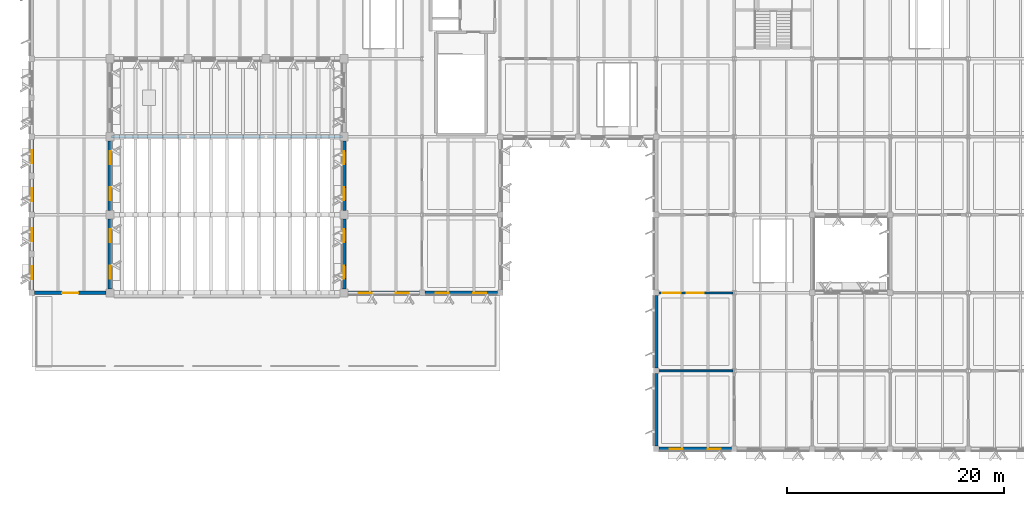
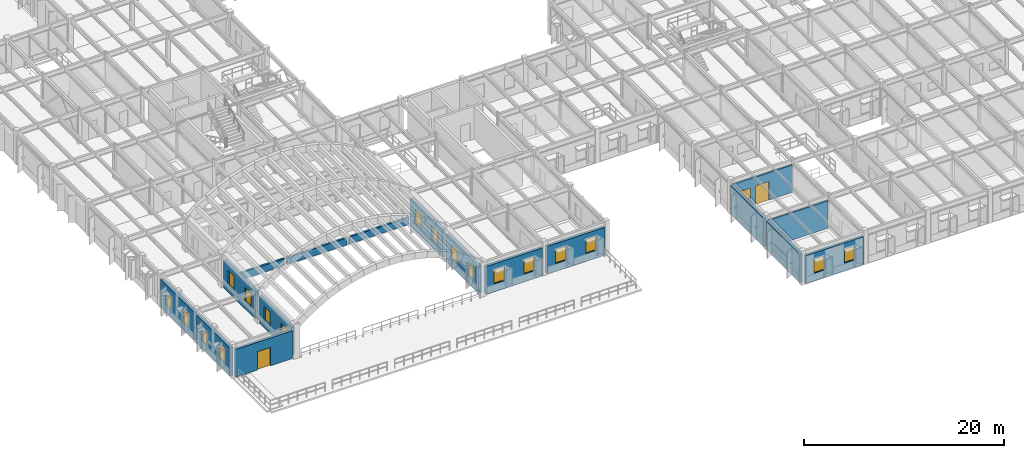
# One storey, part 31 of 85: 19 windows, 17 walls, 2 doors, 21 openings.
"""IFC4 building model written with IfcOpenShell, lengths in metres."""

from ifc_helpers import new_model, si_unit, direction, frame, frame_2d, origin, place, context, subcontext, project, spatial, rectangle, extrude, material, layer, layer_set, type_object, element, fill, save


model = new_model("IFC4")

# Units and contexts
model_context = context("Model", 3, precision=1e-05, world=origin(), true_north=direction((0.0, 1.0)))
body_context = subcontext(model_context, "Body", "Model", "MODEL_VIEW")
ifc_project = project(units=[si_unit("LENGTHUNIT", "METRE"), si_unit("AREAUNIT", "SQUARE_METRE"), si_unit("VOLUMEUNIT", "CUBIC_METRE"), si_unit("PLANEANGLEUNIT", "RADIAN"), si_unit("MASSUNIT", "GRAM", prefix="KILO")], contexts=[model_context])

# Site, building, storey
site_placement = place(None, origin())
site = spatial("IfcSite", under=ifc_project, at=site_placement, CompositionType="ELEMENT")
building_placement = place(site_placement, origin())
building = spatial("IfcBuilding", under=site, at=building_placement, Name="Sillqori Civic Hall", CompositionType="ELEMENT")
storey_placement = place(building_placement, frame((0.0, 0.0, 9.89990234375)))
storey = spatial("IfcBuildingStorey", under=building, at=storey_placement, Name="L03", CompositionType="ELEMENT", Elevation=9.89990234375)

# Wall, opening, door
ifc_material_1 = material(Name="Precast concrete C40/50 (H40)", Category="concrete")
ifc_layer_1 = layer(ifc_material_1, 0.340087890625)
ifc_layer_set_1 = layer_set([ifc_layer_1], Name="Precast concrete C40/50 (H40)")
wall_type_1 = type_object("IfcWallType", Name="EW-ARC-340", PredefinedType="SOLIDWALL", material=ifc_layer_set_1)
wall_1_placement = place(storey_placement, frame((14.02490234375, 21.60009765625, 0.0), z_axis=(0.0, 0.0, 1.0), x_axis=(-1.0, 0.0, 0.0)))
wall_1 = element("IfcWall", 1, at=wall_1_placement, inside=storey, type_object=wall_type_1, Name="L03 V1 exterior wall L03-01-03-S", PredefinedType="SOLIDWALL", context=body_context, shape_type="SweptSolid", body=[
    extrude(rectangle(XDim=6.574951171875, YDim=0.340087890625, at=frame_2d((3.28759765625, 0.0))), origin(), (0.0, 0.0, 1.0), 3.398193359375),
])
opening_1_placement = place(wall_1_placement, frame((2.53759765625, 0.0, 0.0)))
opening_1 = element("IfcOpeningElement", 2, at=opening_1_placement, cuts=wall_1, Name="Opening ED-06", PredefinedType="OPENING", context=body_context, shape_type="SweptSolid", body=[
    extrude(rectangle(XDim=1.5, YDim=2.25, at=frame_2d((0.75, 1.125))), frame((0.0, 0.179931640625, 0.0), z_axis=(0.0, -1.0, 0.0), x_axis=(1.0, 0.0, 0.0)), (0.0, 0.0, 1.0), 0.360107421875),
])
ifc_material_2 = material(Name="Thermally Broken Anodized Aluminium and Laminated Glass", Category="aluminium")
door_type_1 = type_object("IfcDoorType", Name="EDR-TERR-150X225", OperationType="NOTDEFINED", PredefinedType="DOOR", material=ifc_material_2)
door_1_placement = place(opening_1_placement, origin())
door_1 = element("IfcDoor", 3, at=door_1_placement, inside=storey, type_object=door_type_1, Name="South Chamber Step Terrace 2 Access Door", OperationType="DOUBLE_DOOR_SINGLE_SWING", OverallHeight=2.25, OverallWidth=1.5, PredefinedType="DOOR", context=body_context, shape_type="SweptSolid", body=[
    extrude(rectangle(XDim=1.5, YDim=2.25, at=frame_2d((0.75, 1.125))), frame((0.0, 0.02490234375, 0.0), z_axis=(0.0, -1.0, 0.0), x_axis=(1.0, 0.0, 0.0)), (0.0, 0.0, 1.0), 0.050048828125),
])
fill(opening_1, door_1)

# Wall, openings, windows
wall_2_placement = place(storey_placement, frame((7.199951171875, 21.85009765625, 0.0), z_axis=(0.0, 0.0, 1.0), x_axis=(0.0, 1.0, 0.0)))
wall_2 = element("IfcWall", 4, at=wall_2_placement, inside=storey, type_object=wall_type_1, Name="L03 V1 exterior wall L03-01-03-W", PredefinedType="SOLIDWALL", context=body_context, shape_type="SweptSolid", body=[
    extrude(rectangle(XDim=6.699951171875, YDim=0.340087890625, at=frame_2d((3.35009765625, 0.0))), origin(), (0.0, 0.0, 1.0), 3.467041015625),
])
opening_2_placement = place(wall_2_placement, frame((1.008056640625, 0.0, 0.949951171875)))
opening_2 = element("IfcOpeningElement", 5, at=opening_2_placement, cuts=wall_2, Name="Opening W-22", PredefinedType="OPENING", context=body_context, shape_type="SweptSolid", body=[
    extrude(rectangle(XDim=1.199951171875, YDim=1.699951171875, at=frame_2d((0.60009765625, 0.85009765625))), frame((0.0, 0.179931640625, 0.0), z_axis=(0.0, -1.0, 0.0), x_axis=(1.0, 0.0, 0.0)), (0.0, 0.0, 1.0), 0.360107421875),
])
opening_3_placement = place(wall_2_placement, frame((4.491943359375, 0.0, 0.949951171875)))
opening_3 = element("IfcOpeningElement", 6, at=opening_3_placement, cuts=wall_2, Name="Opening W-22", PredefinedType="OPENING", context=body_context, shape_type="SweptSolid", body=[
    extrude(rectangle(XDim=1.199951171875, YDim=1.699951171875, at=frame_2d((0.60009765625, 0.85009765625))), frame((0.0, 0.179931640625, 0.0), z_axis=(0.0, -1.0, 0.0), x_axis=(1.0, 0.0, 0.0)), (0.0, 0.0, 1.0), 0.360107421875),
])
ifc_material_3 = material(Name="Thermally Broken Aluminium Low-E Window", Category="aluminium")
window_type_1 = type_object("IfcWindowType", Name="WIN-V5-120X170", PartitioningType="SINGLE_PANEL", PredefinedType="WINDOW", material=ifc_material_3)
window_1_placement = place(opening_2_placement, origin())
window_1 = element("IfcWindow", 7, at=window_1_placement, inside=storey, type_object=window_type_1, Name="L03 V1 window L03-01-03-W.1", OverallHeight=1.699951171875, OverallWidth=1.199951171875, PartitioningType="SINGLE_PANEL", PredefinedType="WINDOW", context=body_context, shape_type="SweptSolid", body=[
    extrude(rectangle(XDim=1.199951171875, YDim=1.699951171875, at=frame_2d((0.60009765625, 0.85009765625))), frame((0.0, 0.030029296875, 0.0), z_axis=(0.0, -1.0, 0.0), x_axis=(1.0, 0.0, 0.0)), (0.0, 0.0, 1.0), 0.06005859375),
])
fill(opening_2, window_1)
window_2_placement = place(opening_3_placement, origin())
window_2 = element("IfcWindow", 8, at=window_2_placement, inside=storey, type_object=window_type_1, Name="L03 V1 window L03-01-03-W.2", OverallHeight=1.699951171875, OverallWidth=1.199951171875, PartitioningType="SINGLE_PANEL", PredefinedType="WINDOW", context=body_context, shape_type="SweptSolid", body=[
    extrude(rectangle(XDim=1.199951171875, YDim=1.699951171875, at=frame_2d((0.60009765625, 0.85009765625))), frame((0.0, 0.030029296875, 0.0), z_axis=(0.0, -1.0, 0.0), x_axis=(1.0, 0.0, 0.0)), (0.0, 0.0, 1.0), 0.06005859375),
])
fill(opening_3, window_2)

wall_3_placement = place(storey_placement, frame((14.39990234375, 28.425048828125, 0.0), z_axis=(0.0, 0.0, 1.0), x_axis=(0.0, -1.0, 0.0)))
wall_3 = element("IfcWall", 9, at=wall_3_placement, inside=storey, type_object=wall_type_1, Name="L03 V1 exterior wall L03-01-03-E", PredefinedType="SOLIDWALL", context=body_context, shape_type="SweptSolid", body=[
    extrude(rectangle(XDim=6.449951171875, YDim=0.340087890625, at=frame_2d((3.22509765625, 0.0))), origin(), (0.0, 0.0, 1.0), 3.35009765625),
])
opening_4_placement = place(wall_3_placement, frame((0.947998046875, 0.0, 0.949951171875)))
opening_4 = element("IfcOpeningElement", 10, at=opening_4_placement, cuts=wall_3, Name="Opening W-22", PredefinedType="OPENING", context=body_context, shape_type="SweptSolid", body=[
    extrude(rectangle(XDim=1.199951171875, YDim=1.699951171875, at=frame_2d((0.60009765625, 0.85009765625))), frame((0.0, 0.179931640625, 0.0), z_axis=(0.0, -1.0, 0.0), x_axis=(1.0, 0.0, 0.0)), (0.0, 0.0, 1.0), 0.360107421875),
])
opening_5_placement = place(wall_3_placement, frame((4.302001953125, 0.0, 0.949951171875)))
opening_5 = element("IfcOpeningElement", 11, at=opening_5_placement, cuts=wall_3, Name="Opening W-22", PredefinedType="OPENING", context=body_context, shape_type="SweptSolid", body=[
    extrude(rectangle(XDim=1.199951171875, YDim=1.699951171875, at=frame_2d((0.60009765625, 0.85009765625))), frame((0.0, 0.179931640625, 0.0), z_axis=(0.0, -1.0, 0.0), x_axis=(1.0, 0.0, 0.0)), (0.0, 0.0, 1.0), 0.360107421875),
])
window_3_placement = place(opening_4_placement, origin())
window_3 = element("IfcWindow", 12, at=window_3_placement, inside=storey, type_object=window_type_1, Name="L03 V1 window L03-01-03-E.1", OverallHeight=1.699951171875, OverallWidth=1.199951171875, PartitioningType="SINGLE_PANEL", PredefinedType="WINDOW", context=body_context, shape_type="SweptSolid", body=[
    extrude(rectangle(XDim=1.199951171875, YDim=1.699951171875, at=frame_2d((0.60009765625, 0.85009765625))), frame((0.0, 0.030029296875, 0.0), z_axis=(0.0, -1.0, 0.0), x_axis=(1.0, 0.0, 0.0)), (0.0, 0.0, 1.0), 0.06005859375),
])
fill(opening_4, window_3)
window_4_placement = place(opening_5_placement, origin())
window_4 = element("IfcWindow", 13, at=window_4_placement, inside=storey, type_object=window_type_1, Name="L03 V1 window L03-01-03-E.2", OverallHeight=1.699951171875, OverallWidth=1.199951171875, PartitioningType="SINGLE_PANEL", PredefinedType="WINDOW", context=body_context, shape_type="SweptSolid", body=[
    extrude(rectangle(XDim=1.199951171875, YDim=1.699951171875, at=frame_2d((0.60009765625, 0.85009765625))), frame((0.0, 0.030029296875, 0.0), z_axis=(0.0, -1.0, 0.0), x_axis=(1.0, 0.0, 0.0)), (0.0, 0.0, 1.0), 0.06005859375),
])
fill(opening_5, window_4)

wall_4_placement = place(storey_placement, frame((7.199951171875, 29.050048828125, 0.0), z_axis=(0.0, 0.0, 1.0), x_axis=(0.0, 1.0, 0.0)))
wall_4 = element("IfcWall", 14, at=wall_4_placement, inside=storey, type_object=wall_type_1, Name="L03 V1 exterior wall L03-01-04-W", PredefinedType="SOLIDWALL", context=body_context, shape_type="SweptSolid", body=[
    extrude(rectangle(XDim=6.699951171875, YDim=0.340087890625, at=frame_2d((3.35009765625, 0.0))), origin(), (0.0, 0.0, 1.0), 3.467041015625),
])
opening_6_placement = place(wall_4_placement, frame((1.008056640625, 0.0, 0.949951171875)))
opening_6 = element("IfcOpeningElement", 15, at=opening_6_placement, cuts=wall_4, Name="Opening W-22", PredefinedType="OPENING", context=body_context, shape_type="SweptSolid", body=[
    extrude(rectangle(XDim=1.199951171875, YDim=1.699951171875, at=frame_2d((0.60009765625, 0.85009765625))), frame((0.0, 0.179931640625, 0.0), z_axis=(0.0, -1.0, 0.0), x_axis=(1.0, 0.0, 0.0)), (0.0, 0.0, 1.0), 0.360107421875),
])
opening_7_placement = place(wall_4_placement, frame((4.491943359375, 0.0, 0.949951171875)))
opening_7 = element("IfcOpeningElement", 16, at=opening_7_placement, cuts=wall_4, Name="Opening W-22", PredefinedType="OPENING", context=body_context, shape_type="SweptSolid", body=[
    extrude(rectangle(XDim=1.199951171875, YDim=1.699951171875, at=frame_2d((0.60009765625, 0.85009765625))), frame((0.0, 0.179931640625, 0.0), z_axis=(0.0, -1.0, 0.0), x_axis=(1.0, 0.0, 0.0)), (0.0, 0.0, 1.0), 0.360107421875),
])
window_5_placement = place(opening_6_placement, origin())
window_5 = element("IfcWindow", 17, at=window_5_placement, inside=storey, type_object=window_type_1, Name="L03 V1 window L03-01-04-W.1", OverallHeight=1.699951171875, OverallWidth=1.199951171875, PartitioningType="SINGLE_PANEL", PredefinedType="WINDOW", context=body_context, shape_type="SweptSolid", body=[
    extrude(rectangle(XDim=1.199951171875, YDim=1.699951171875, at=frame_2d((0.60009765625, 0.85009765625))), frame((0.0, 0.030029296875, 0.0), z_axis=(0.0, -1.0, 0.0), x_axis=(1.0, 0.0, 0.0)), (0.0, 0.0, 1.0), 0.06005859375),
])
fill(opening_6, window_5)
window_6_placement = place(opening_7_placement, origin())
window_6 = element("IfcWindow", 18, at=window_6_placement, inside=storey, type_object=window_type_1, Name="L03 V1 window L03-01-04-W.2", OverallHeight=1.699951171875, OverallWidth=1.199951171875, PartitioningType="SINGLE_PANEL", PredefinedType="WINDOW", context=body_context, shape_type="SweptSolid", body=[
    extrude(rectangle(XDim=1.199951171875, YDim=1.699951171875, at=frame_2d((0.60009765625, 0.85009765625))), frame((0.0, 0.030029296875, 0.0), z_axis=(0.0, -1.0, 0.0), x_axis=(1.0, 0.0, 0.0)), (0.0, 0.0, 1.0), 0.06005859375),
])
fill(opening_7, window_6)

wall_5_placement = place(storey_placement, frame((14.39990234375, 35.625, 0.0), z_axis=(0.0, 0.0, 1.0), x_axis=(0.0, -1.0, 0.0)))
wall_5 = element("IfcWall", 19, at=wall_5_placement, inside=storey, type_object=wall_type_1, Name="L03 V1 exterior wall L03-01-04-E", PredefinedType="SOLIDWALL", context=body_context, shape_type="SweptSolid", body=[
    extrude(rectangle(XDim=6.449951171875, YDim=0.340087890625, at=frame_2d((3.22509765625, 0.0))), origin(), (0.0, 0.0, 1.0), 3.35009765625),
])
opening_8_placement = place(wall_5_placement, frame((0.947998046875, 0.0, 0.949951171875)))
opening_8 = element("IfcOpeningElement", 20, at=opening_8_placement, cuts=wall_5, Name="Opening W-22", PredefinedType="OPENING", context=body_context, shape_type="SweptSolid", body=[
    extrude(rectangle(XDim=1.199951171875, YDim=1.699951171875, at=frame_2d((0.60009765625, 0.85009765625))), frame((0.0, 0.179931640625, 0.0), z_axis=(0.0, -1.0, 0.0), x_axis=(1.0, 0.0, 0.0)), (0.0, 0.0, 1.0), 0.360107421875),
])
opening_9_placement = place(wall_5_placement, frame((4.302001953125, 0.0, 0.949951171875)))
opening_9 = element("IfcOpeningElement", 21, at=opening_9_placement, cuts=wall_5, Name="Opening W-22", PredefinedType="OPENING", context=body_context, shape_type="SweptSolid", body=[
    extrude(rectangle(XDim=1.199951171875, YDim=1.699951171875, at=frame_2d((0.60009765625, 0.85009765625))), frame((0.0, 0.179931640625, 0.0), z_axis=(0.0, -1.0, 0.0), x_axis=(1.0, 0.0, 0.0)), (0.0, 0.0, 1.0), 0.360107421875),
])
window_7_placement = place(opening_8_placement, origin())
window_7 = element("IfcWindow", 22, at=window_7_placement, inside=storey, type_object=window_type_1, Name="L03 V1 window L03-01-04-E.1", OverallHeight=1.699951171875, OverallWidth=1.199951171875, PartitioningType="SINGLE_PANEL", PredefinedType="WINDOW", context=body_context, shape_type="SweptSolid", body=[
    extrude(rectangle(XDim=1.199951171875, YDim=1.699951171875, at=frame_2d((0.60009765625, 0.85009765625))), frame((0.0, 0.030029296875, 0.0), z_axis=(0.0, -1.0, 0.0), x_axis=(1.0, 0.0, 0.0)), (0.0, 0.0, 1.0), 0.06005859375),
])
fill(opening_8, window_7)
window_8_placement = place(opening_9_placement, origin())
window_8 = element("IfcWindow", 23, at=window_8_placement, inside=storey, type_object=window_type_1, Name="L03 V1 window L03-01-04-E.2", OverallHeight=1.699951171875, OverallWidth=1.199951171875, PartitioningType="SINGLE_PANEL", PredefinedType="WINDOW", context=body_context, shape_type="SweptSolid", body=[
    extrude(rectangle(XDim=1.199951171875, YDim=1.699951171875, at=frame_2d((0.60009765625, 0.85009765625))), frame((0.0, 0.030029296875, 0.0), z_axis=(0.0, -1.0, 0.0), x_axis=(1.0, 0.0, 0.0)), (0.0, 0.0, 1.0), 0.06005859375),
])
fill(opening_9, window_8)

wall_6_placement = place(storey_placement, frame((42.949951171875, 21.60009765625, 0.0), z_axis=(0.0, 0.0, 1.0), x_axis=(-1.0, 0.0, 0.0)))
wall_6 = element("IfcWall", 24, at=wall_6_placement, inside=storey, type_object=wall_type_1, Name="L03 V1 exterior wall L03-05-03-S", PredefinedType="SOLIDWALL", context=body_context, shape_type="SweptSolid", body=[
    extrude(rectangle(XDim=6.574951171875, YDim=0.340087890625, at=frame_2d((3.28759765625, 0.0))), origin(), (0.0, 0.0, 1.0), 3.398193359375),
])
opening_10_placement = place(wall_6_placement, frame((0.97802734375, 0.0, 0.949951171875)))
opening_10 = element("IfcOpeningElement", 25, at=opening_10_placement, cuts=wall_6, Name="Opening W-22", PredefinedType="OPENING", context=body_context, shape_type="SweptSolid", body=[
    extrude(rectangle(XDim=1.199951171875, YDim=1.699951171875, at=frame_2d((0.60009765625, 0.85009765625))), frame((0.0, 0.179931640625, 0.0), z_axis=(0.0, -1.0, 0.0), x_axis=(1.0, 0.0, 0.0)), (0.0, 0.0, 1.0), 0.360107421875),
])
opening_11_placement = place(wall_6_placement, frame((4.39697265625, 0.0, 0.949951171875)))
opening_11 = element("IfcOpeningElement", 26, at=opening_11_placement, cuts=wall_6, Name="Opening W-22", PredefinedType="OPENING", context=body_context, shape_type="SweptSolid", body=[
    extrude(rectangle(XDim=1.199951171875, YDim=1.699951171875, at=frame_2d((0.60009765625, 0.85009765625))), frame((0.0, 0.179931640625, 0.0), z_axis=(0.0, -1.0, 0.0), x_axis=(1.0, 0.0, 0.0)), (0.0, 0.0, 1.0), 0.360107421875),
])
window_9_placement = place(opening_10_placement, origin())
window_9 = element("IfcWindow", 27, at=window_9_placement, inside=storey, type_object=window_type_1, Name="L03 V1 window L03-05-03-S.1", OverallHeight=1.699951171875, OverallWidth=1.199951171875, PartitioningType="SINGLE_PANEL", PredefinedType="WINDOW", context=body_context, shape_type="SweptSolid", body=[
    extrude(rectangle(XDim=1.199951171875, YDim=1.699951171875, at=frame_2d((0.60009765625, 0.85009765625))), frame((0.0, 0.030029296875, 0.0), z_axis=(0.0, -1.0, 0.0), x_axis=(1.0, 0.0, 0.0)), (0.0, 0.0, 1.0), 0.06005859375),
])
fill(opening_10, window_9)
window_10_placement = place(opening_11_placement, origin())
window_10 = element("IfcWindow", 28, at=window_10_placement, inside=storey, type_object=window_type_1, Name="L03 V1 window L03-05-03-S.2", OverallHeight=1.699951171875, OverallWidth=1.199951171875, PartitioningType="SINGLE_PANEL", PredefinedType="WINDOW", context=body_context, shape_type="SweptSolid", body=[
    extrude(rectangle(XDim=1.199951171875, YDim=1.699951171875, at=frame_2d((0.60009765625, 0.85009765625))), frame((0.0, 0.030029296875, 0.0), z_axis=(0.0, -1.0, 0.0), x_axis=(1.0, 0.0, 0.0)), (0.0, 0.0, 1.0), 0.06005859375),
])
fill(opening_11, window_10)

wall_7_placement = place(storey_placement, frame((36.0, 21.97509765625, 0.0), z_axis=(0.0, 0.0, 1.0), x_axis=(0.0, 1.0, 0.0)))
wall_7 = element("IfcWall", 29, at=wall_7_placement, inside=storey, type_object=wall_type_1, Name="L03 V1 exterior wall L03-05-03-W", PredefinedType="SOLIDWALL", context=body_context, shape_type="SweptSolid", body=[
    extrude(rectangle(XDim=6.449951171875, YDim=0.340087890625, at=frame_2d((3.22509765625, 0.0))), origin(), (0.0, 0.0, 1.0), 3.35009765625),
])
opening_12_placement = place(wall_7_placement, frame((0.947998046875, 0.0, 0.949951171875)))
opening_12 = element("IfcOpeningElement", 30, at=opening_12_placement, cuts=wall_7, Name="Opening W-22", PredefinedType="OPENING", context=body_context, shape_type="SweptSolid", body=[
    extrude(rectangle(XDim=1.199951171875, YDim=1.699951171875, at=frame_2d((0.60009765625, 0.85009765625))), frame((0.0, 0.179931640625, 0.0), z_axis=(0.0, -1.0, 0.0), x_axis=(1.0, 0.0, 0.0)), (0.0, 0.0, 1.0), 0.360107421875),
])
opening_13_placement = place(wall_7_placement, frame((4.302001953125, 0.0, 0.949951171875)))
opening_13 = element("IfcOpeningElement", 31, at=opening_13_placement, cuts=wall_7, Name="Opening W-22", PredefinedType="OPENING", context=body_context, shape_type="SweptSolid", body=[
    extrude(rectangle(XDim=1.199951171875, YDim=1.699951171875, at=frame_2d((0.60009765625, 0.85009765625))), frame((0.0, 0.179931640625, 0.0), z_axis=(0.0, -1.0, 0.0), x_axis=(1.0, 0.0, 0.0)), (0.0, 0.0, 1.0), 0.360107421875),
])
window_11_placement = place(opening_12_placement, origin())
window_11 = element("IfcWindow", 32, at=window_11_placement, inside=storey, type_object=window_type_1, Name="L03 V1 window L03-05-03-W.1", OverallHeight=1.699951171875, OverallWidth=1.199951171875, PartitioningType="SINGLE_PANEL", PredefinedType="WINDOW", context=body_context, shape_type="SweptSolid", body=[
    extrude(rectangle(XDim=1.199951171875, YDim=1.699951171875, at=frame_2d((0.60009765625, 0.85009765625))), frame((0.0, 0.030029296875, 0.0), z_axis=(0.0, -1.0, 0.0), x_axis=(1.0, 0.0, 0.0)), (0.0, 0.0, 1.0), 0.06005859375),
])
fill(opening_12, window_11)
window_12_placement = place(opening_13_placement, origin())
window_12 = element("IfcWindow", 33, at=window_12_placement, inside=storey, type_object=window_type_1, Name="L03 V1 window L03-05-03-W.2", OverallHeight=1.699951171875, OverallWidth=1.199951171875, PartitioningType="SINGLE_PANEL", PredefinedType="WINDOW", context=body_context, shape_type="SweptSolid", body=[
    extrude(rectangle(XDim=1.199951171875, YDim=1.699951171875, at=frame_2d((0.60009765625, 0.85009765625))), frame((0.0, 0.030029296875, 0.0), z_axis=(0.0, -1.0, 0.0), x_axis=(1.0, 0.0, 0.0)), (0.0, 0.0, 1.0), 0.06005859375),
])
fill(opening_13, window_12)

wall_8_placement = place(storey_placement, frame((36.0, 29.175048828125, 0.0), z_axis=(0.0, 0.0, 1.0), x_axis=(0.0, 1.0, 0.0)))
wall_8 = element("IfcWall", 34, at=wall_8_placement, inside=storey, type_object=wall_type_1, Name="L03 V1 exterior wall L03-05-04-W", PredefinedType="SOLIDWALL", context=body_context, shape_type="SweptSolid", body=[
    extrude(rectangle(XDim=6.449951171875, YDim=0.340087890625, at=frame_2d((3.22509765625, 0.0))), origin(), (0.0, 0.0, 1.0), 3.35009765625),
])
opening_14_placement = place(wall_8_placement, frame((0.947998046875, 0.0, 0.949951171875)))
opening_14 = element("IfcOpeningElement", 35, at=opening_14_placement, cuts=wall_8, Name="Opening W-22", PredefinedType="OPENING", context=body_context, shape_type="SweptSolid", body=[
    extrude(rectangle(XDim=1.199951171875, YDim=1.699951171875, at=frame_2d((0.60009765625, 0.85009765625))), frame((0.0, 0.179931640625, 0.0), z_axis=(0.0, -1.0, 0.0), x_axis=(1.0, 0.0, 0.0)), (0.0, 0.0, 1.0), 0.360107421875),
])
opening_15_placement = place(wall_8_placement, frame((4.302001953125, 0.0, 0.949951171875)))
opening_15 = element("IfcOpeningElement", 36, at=opening_15_placement, cuts=wall_8, Name="Opening W-22", PredefinedType="OPENING", context=body_context, shape_type="SweptSolid", body=[
    extrude(rectangle(XDim=1.199951171875, YDim=1.699951171875, at=frame_2d((0.60009765625, 0.85009765625))), frame((0.0, 0.179931640625, 0.0), z_axis=(0.0, -1.0, 0.0), x_axis=(1.0, 0.0, 0.0)), (0.0, 0.0, 1.0), 0.360107421875),
])
window_13_placement = place(opening_14_placement, origin())
window_13 = element("IfcWindow", 37, at=window_13_placement, inside=storey, type_object=window_type_1, Name="L03 V1 window L03-05-04-W.1", OverallHeight=1.699951171875, OverallWidth=1.199951171875, PartitioningType="SINGLE_PANEL", PredefinedType="WINDOW", context=body_context, shape_type="SweptSolid", body=[
    extrude(rectangle(XDim=1.199951171875, YDim=1.699951171875, at=frame_2d((0.60009765625, 0.85009765625))), frame((0.0, 0.030029296875, 0.0), z_axis=(0.0, -1.0, 0.0), x_axis=(1.0, 0.0, 0.0)), (0.0, 0.0, 1.0), 0.06005859375),
])
fill(opening_14, window_13)
window_14_placement = place(opening_15_placement, origin())
window_14 = element("IfcWindow", 38, at=window_14_placement, inside=storey, type_object=window_type_1, Name="L03 V1 window L03-05-04-W.2", OverallHeight=1.699951171875, OverallWidth=1.199951171875, PartitioningType="SINGLE_PANEL", PredefinedType="WINDOW", context=body_context, shape_type="SweptSolid", body=[
    extrude(rectangle(XDim=1.199951171875, YDim=1.699951171875, at=frame_2d((0.60009765625, 0.85009765625))), frame((0.0, 0.030029296875, 0.0), z_axis=(0.0, -1.0, 0.0), x_axis=(1.0, 0.0, 0.0)), (0.0, 0.0, 1.0), 0.06005859375),
])
fill(opening_15, window_14)

wall_9_placement = place(storey_placement, frame((50.14990234375, 21.60009765625, 0.0), z_axis=(0.0, 0.0, 1.0), x_axis=(-1.0, 0.0, 0.0)))
wall_9 = element("IfcWall", 39, at=wall_9_placement, inside=storey, type_object=wall_type_1, Name="L03 V1 exterior wall L03-06-03-S", PredefinedType="SOLIDWALL", context=body_context, shape_type="SweptSolid", body=[
    extrude(rectangle(XDim=6.699951171875, YDim=0.340087890625, at=frame_2d((3.35009765625, 0.0))), origin(), (0.0, 0.0, 1.0), 3.398193359375),
])
opening_16_placement = place(wall_9_placement, frame((1.008056640625, 0.0, 0.949951171875)))
opening_16 = element("IfcOpeningElement", 40, at=opening_16_placement, cuts=wall_9, Name="Opening W-22", PredefinedType="OPENING", context=body_context, shape_type="SweptSolid", body=[
    extrude(rectangle(XDim=1.199951171875, YDim=1.699951171875, at=frame_2d((0.60009765625, 0.85009765625))), frame((0.0, 0.179931640625, 0.0), z_axis=(0.0, -1.0, 0.0), x_axis=(1.0, 0.0, 0.0)), (0.0, 0.0, 1.0), 0.360107421875),
])
opening_17_placement = place(wall_9_placement, frame((4.491943359375, 0.0, 0.949951171875)))
opening_17 = element("IfcOpeningElement", 41, at=opening_17_placement, cuts=wall_9, Name="Opening W-22", PredefinedType="OPENING", context=body_context, shape_type="SweptSolid", body=[
    extrude(rectangle(XDim=1.199951171875, YDim=1.699951171875, at=frame_2d((0.60009765625, 0.85009765625))), frame((0.0, 0.179931640625, 0.0), z_axis=(0.0, -1.0, 0.0), x_axis=(1.0, 0.0, 0.0)), (0.0, 0.0, 1.0), 0.360107421875),
])
window_15_placement = place(opening_16_placement, origin())
window_15 = element("IfcWindow", 42, at=window_15_placement, inside=storey, type_object=window_type_1, Name="L03 V1 window L03-06-03-S.1", OverallHeight=1.699951171875, OverallWidth=1.199951171875, PartitioningType="SINGLE_PANEL", PredefinedType="WINDOW", context=body_context, shape_type="SweptSolid", body=[
    extrude(rectangle(XDim=1.199951171875, YDim=1.699951171875, at=frame_2d((0.60009765625, 0.85009765625))), frame((0.0, 0.030029296875, 0.0), z_axis=(0.0, -1.0, 0.0), x_axis=(1.0, 0.0, 0.0)), (0.0, 0.0, 1.0), 0.06005859375),
])
fill(opening_16, window_15)
window_16_placement = place(opening_17_placement, origin())
window_16 = element("IfcWindow", 43, at=window_16_placement, inside=storey, type_object=window_type_1, Name="L03 V1 window L03-06-03-S.2", OverallHeight=1.699951171875, OverallWidth=1.199951171875, PartitioningType="SINGLE_PANEL", PredefinedType="WINDOW", context=body_context, shape_type="SweptSolid", body=[
    extrude(rectangle(XDim=1.199951171875, YDim=1.699951171875, at=frame_2d((0.60009765625, 0.85009765625))), frame((0.0, 0.030029296875, 0.0), z_axis=(0.0, -1.0, 0.0), x_axis=(1.0, 0.0, 0.0)), (0.0, 0.0, 1.0), 0.06005859375),
])
fill(opening_17, window_16)

ifc_layer_2 = layer(ifc_material_1, 0.320068359375)
ifc_layer_set_2 = layer_set([ifc_layer_2], Name="Precast concrete C40/50 (H40)")
wall_type_2 = type_object("IfcWallType", Name="EW-LIME-320", PredefinedType="SOLIDWALL", material=ifc_layer_set_2)
wall_10_placement = place(storey_placement, frame((71.75, 7.199951171875, 0.0), z_axis=(0.0, 0.0, 1.0), x_axis=(-1.0, 0.0, 0.0)))
wall_10 = element("IfcWall", 44, at=wall_10_placement, inside=storey, type_object=wall_type_2, Name="L03 V2 exterior wall L03-09-01-S", PredefinedType="SOLIDWALL", context=body_context, shape_type="SweptSolid", body=[
    extrude(rectangle(XDim=6.699951171875, YDim=0.320068359375, at=frame_2d((3.35009765625, 0.0))), origin(), (0.0, 0.0, 1.0), 3.418212890625),
])
opening_18_placement = place(wall_10_placement, frame((1.008056640625, 0.0, 0.949951171875)))
opening_18 = element("IfcOpeningElement", 45, at=opening_18_placement, cuts=wall_10, Name="Opening W-22", PredefinedType="OPENING", context=body_context, shape_type="SweptSolid", body=[
    extrude(rectangle(XDim=1.199951171875, YDim=1.699951171875, at=frame_2d((0.60009765625, 0.85009765625))), frame((0.0, 0.169921875, 0.0), z_axis=(0.0, -1.0, 0.0), x_axis=(1.0, 0.0, 0.0)), (0.0, 0.0, 1.0), 0.340087890625),
])
opening_19_placement = place(wall_10_placement, frame((4.491943359375, 0.0, 0.949951171875)))
opening_19 = element("IfcOpeningElement", 46, at=opening_19_placement, cuts=wall_10, Name="Opening W-22", PredefinedType="OPENING", context=body_context, shape_type="SweptSolid", body=[
    extrude(rectangle(XDim=1.199951171875, YDim=1.699951171875, at=frame_2d((0.60009765625, 0.85009765625))), frame((0.0, 0.169921875, 0.0), z_axis=(0.0, -1.0, 0.0), x_axis=(1.0, 0.0, 0.0)), (0.0, 0.0, 1.0), 0.340087890625),
])
window_17_placement = place(opening_18_placement, origin())
window_17 = element("IfcWindow", 47, at=window_17_placement, inside=storey, type_object=window_type_1, Name="L03 V2 window L03-09-01-S.1", OverallHeight=1.699951171875, OverallWidth=1.199951171875, PartitioningType="SINGLE_PANEL", PredefinedType="WINDOW", context=body_context, shape_type="SweptSolid", body=[
    extrude(rectangle(XDim=1.199951171875, YDim=1.699951171875, at=frame_2d((0.60009765625, 0.85009765625))), frame((0.0, 0.030029296875, 0.0), z_axis=(0.0, -1.0, 0.0), x_axis=(1.0, 0.0, 0.0)), (0.0, 0.0, 1.0), 0.06005859375),
])
fill(opening_18, window_17)
window_18_placement = place(opening_19_placement, origin())
window_18 = element("IfcWindow", 48, at=window_18_placement, inside=storey, type_object=window_type_1, Name="L03 V2 window L03-09-01-S.2", OverallHeight=1.699951171875, OverallWidth=1.199951171875, PartitioningType="SINGLE_PANEL", PredefinedType="WINDOW", context=body_context, shape_type="SweptSolid", body=[
    extrude(rectangle(XDim=1.199951171875, YDim=1.699951171875, at=frame_2d((0.60009765625, 0.85009765625))), frame((0.0, 0.030029296875, 0.0), z_axis=(0.0, -1.0, 0.0), x_axis=(1.0, 0.0, 0.0)), (0.0, 0.0, 1.0), 0.06005859375),
])
fill(opening_19, window_18)

# Walls
wall_11_placement = place(storey_placement, frame((64.800048828125, 7.449951171875, 0.0), z_axis=(0.0, 0.0, 1.0), x_axis=(0.0, 1.0, 0.0)))
element("IfcWall", 49, at=wall_11_placement, inside=storey, type_object=wall_type_2, Name="L03 V2 exterior wall L03-09-01-W", PredefinedType="SOLIDWALL", context=body_context, shape_type="SweptSolid", body=[
    extrude(rectangle(XDim=6.699951171875, YDim=0.320068359375, at=frame_2d((3.35009765625, 0.0))), origin(), (0.0, 0.0, 1.0), 3.487060546875),
])
wall_12_placement = place(storey_placement, frame((64.800048828125, 14.64990234375, 0.0), z_axis=(0.0, 0.0, 1.0), x_axis=(0.0, 1.0, 0.0)))
element("IfcWall", 50, at=wall_12_placement, inside=storey, type_object=wall_type_2, Name="L03 V2 exterior wall L03-09-02-W", PredefinedType="SOLIDWALL", context=body_context, shape_type="SweptSolid", body=[
    extrude(rectangle(XDim=6.7001953125, YDim=0.320068359375, at=frame_2d((3.35009765625, 0.0))), origin(), (0.0, 0.0, 1.0), 3.487060546875),
])
ifc_material_4 = material(Name="Concrete C25/30 (H25)", Category="concrete")
ifc_layer_3 = layer(ifc_material_4, 0.172119140625)
ifc_layer_set_3 = layer_set([ifc_layer_3], Name="Concrete C25/30 (H25)")
wall_type_3 = type_object("IfcWallType", Name="PT-MAS-172", PredefinedType="PARTITIONING", material=ifc_layer_set_3)
wall_13_placement = place(storey_placement, frame((64.919921875, 14.39990234375, 0.0), z_axis=(0.0, 0.0, 1.0), x_axis=(1.0, 0.0, 0.0)))
element("IfcWall", 51, at=wall_13_placement, inside=storey, type_object=wall_type_3, Name="Civic Heritage Exhibition Gallery partition N2", PredefinedType="PARTITIONING", context=body_context, shape_type="SweptSolid", body=[
    extrude(rectangle(XDim=6.9599609375, YDim=0.172119140625, at=frame_2d((3.47998046875, 0.0))), origin(), (0.0, 0.0, 1.0), 3.408203125),
])

# Wall, openings, door, window
ifc_layer_4 = layer(ifc_material_4, 0.179931640625)
ifc_layer_set_4 = layer_set([ifc_layer_4], Name="Concrete C25/30 (H25)")
wall_type_4 = type_object("IfcWallType", Name="PT-MAS-180", PredefinedType="PARTITIONING", material=ifc_layer_set_4)
wall_14_placement = place(storey_placement, frame((64.919921875, 21.60009765625, 0.0), z_axis=(0.0, 0.0, 1.0), x_axis=(1.0, 0.0, 0.0)))
wall_14 = element("IfcWall", 52, at=wall_14_placement, inside=storey, type_object=wall_type_4, Name="Citizen Participatory Budgeting Forum Hall partition N1", PredefinedType="PARTITIONING", context=body_context, shape_type="SweptSolid", body=[
    extrude(rectangle(XDim=6.9599609375, YDim=0.179931640625, at=frame_2d((3.47998046875, 0.0))), origin(), (0.0, 0.0, 1.0), 3.408203125),
])
opening_20_placement = place(wall_14_placement, frame((2.705078125, 0.0, 0.0)))
opening_20 = element("IfcOpeningElement", 53, at=opening_20_placement, cuts=wall_14, Name="Opening ID-08", PredefinedType="OPENING", context=body_context, shape_type="SweptSolid", body=[
    extrude(rectangle(XDim=1.550048828125, YDim=2.300048828125, at=frame_2d((0.77490234375, 1.14990234375))), frame((0.0, 0.099853515625, 0.0), z_axis=(0.0, -1.0, 0.0), x_axis=(1.0, 0.0, 0.0)), (0.0, 0.0, 1.0), 0.199951171875),
])
opening_21_placement = place(wall_14_placement, frame((0.449951171875, 0.0, 1.050048828125)))
opening_21 = element("IfcOpeningElement", 54, at=opening_21_placement, cuts=wall_14, Name="Opening IW-13", PredefinedType="OPENING", context=body_context, shape_type="SweptSolid", body=[
    extrude(rectangle(XDim=1.699951171875, YDim=1.179931640625, at=frame_2d((0.85009765625, 0.58984375))), frame((0.0, 0.099853515625, 0.0), z_axis=(0.0, -1.0, 0.0), x_axis=(1.0, 0.0, 0.0)), (0.0, 0.0, 1.0), 0.199951171875),
])
ifc_material_5 = material(Name="Community Room Double Leaf Door", Category="timber")
door_type_2 = type_object("IfcDoorType", Name="IDR-CMY-155X230", OperationType="NOTDEFINED", PredefinedType="DOOR", material=ifc_material_5)
door_2_placement = place(opening_20_placement, origin())
door_2 = element("IfcDoor", 55, at=door_2_placement, inside=storey, type_object=door_type_2, Name="Citizen Participatory Budgeting Forum Hall entrance door", OperationType="DOUBLE_DOOR_SINGLE_SWING", OverallHeight=2.300048828125, OverallWidth=1.550048828125, PredefinedType="DOOR", context=body_context, shape_type="SweptSolid", body=[
    extrude(rectangle(XDim=1.550048828125, YDim=2.300048828125, at=frame_2d((0.77490234375, 1.14990234375))), frame((0.0, 0.02490234375, 0.0), z_axis=(0.0, -1.0, 0.0), x_axis=(1.0, 0.0, 0.0)), (0.0, 0.0, 1.0), 0.050048828125),
])
fill(opening_20, door_2)
ifc_material_6 = material(Name="Acoustic Laminated Interior Clerestory Glazing", Category="glass")
window_type_2 = type_object("IfcWindowType", Name="IWN-STU-170X118", PartitioningType="SINGLE_PANEL", PredefinedType="WINDOW", material=ifc_material_6)
window_19_placement = place(opening_21_placement, origin())
window_19 = element("IfcWindow", 56, at=window_19_placement, inside=storey, type_object=window_type_2, Name="Citizen Participatory Budgeting Forum Hall borrowed-light screen", OverallHeight=1.179931640625, OverallWidth=1.699951171875, PartitioningType="SINGLE_PANEL", PredefinedType="WINDOW", context=body_context, shape_type="SweptSolid", body=[
    extrude(rectangle(XDim=1.699951171875, YDim=1.179931640625, at=frame_2d((0.85009765625, 0.58984375))), frame((0.0, 0.030029296875, 0.0), z_axis=(0.0, -1.0, 0.0), x_axis=(1.0, 0.0, 0.0)), (0.0, 0.0, 1.0), 0.06005859375),
])
fill(opening_21, window_19)

# Walls
ifc_layer_5 = layer(ifc_material_1, 0.219970703125)
ifc_layer_set_5 = layer_set([ifc_layer_5], Name="Precast concrete C40/50 (H40)")
wall_type_5 = type_object("IfcWallType", Name="WP-PAR-220", PredefinedType="PARAPET", material=ifc_layer_set_5)
wall_15_placement = place(storey_placement, frame((35.85009765625, 36.0, 0.0), z_axis=(0.0, 0.0, 1.0), x_axis=(-1.0, 0.0, 0.0)))
element("IfcWall", 57, at=wall_15_placement, inside=storey, type_object=wall_type_5, Name="L03 roof parapet 03", PredefinedType="PARAPET", context=body_context, shape_type="SweptSolid", body=[
    extrude(rectangle(XDim=6.900146484375, YDim=0.219970703125, at=frame_2d((3.4501953125, 0.0))), origin(), (0.0, 0.0, 1.0), 0.85009765625),
])
for number, where, z_axis, x_axis, name in (
    (58, (28.64990234375, 36.0, 0.0), (0.0, 0.0, 1.0), (-1.0, 0.0, 0.0), "L03 roof parapet 04"),
    (59, (21.449951171875, 36.0, 0.0), (0.0, 0.0, 1.0), (-1.0, 0.0, 0.0), "L03 roof parapet 05"),
):
    element("IfcWall", number, at=place(storey_placement, frame(where, z_axis=z_axis, x_axis=x_axis)), inside=storey, type_object=wall_type_5, Name=name, PredefinedType="PARAPET", context=body_context, shape_type="SweptSolid", body=[
        extrude(rectangle(XDim=6.89990234375, YDim=0.219970703125, at=frame_2d((3.449951171875, 0.0))), origin(), (0.0, 0.0, 1.0), 0.85009765625),
    ])

save(model, "model.ifc")
